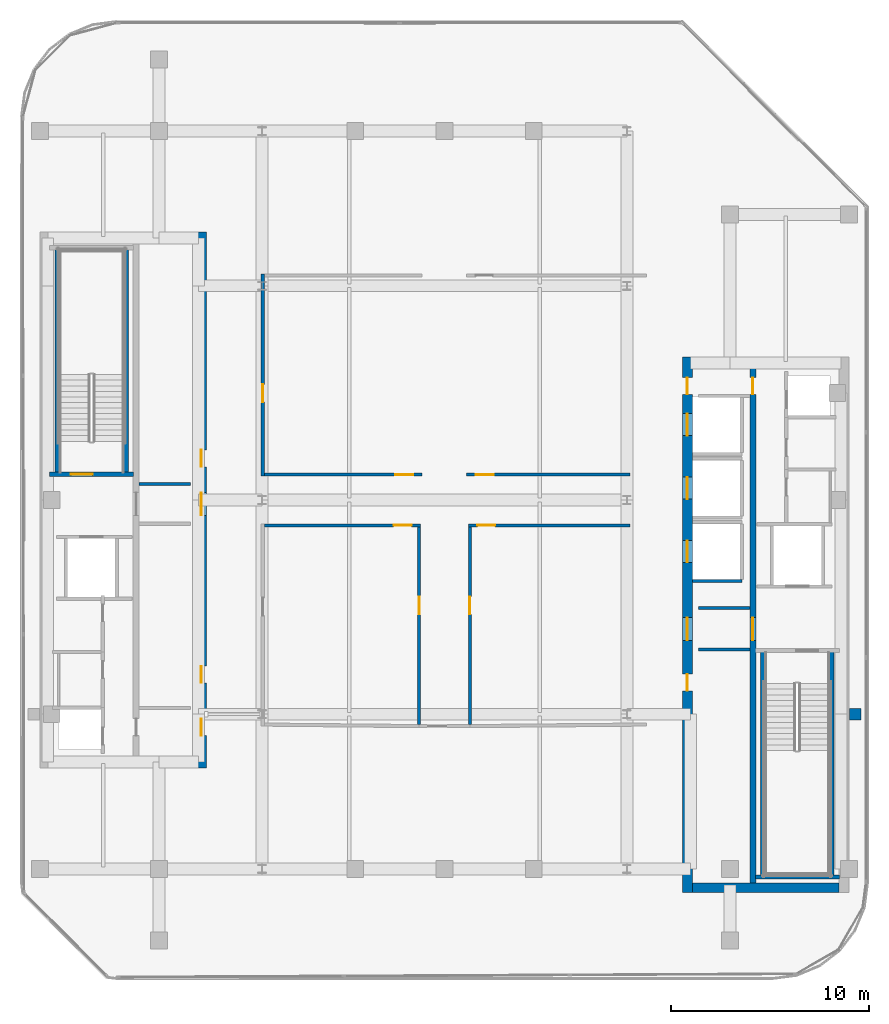
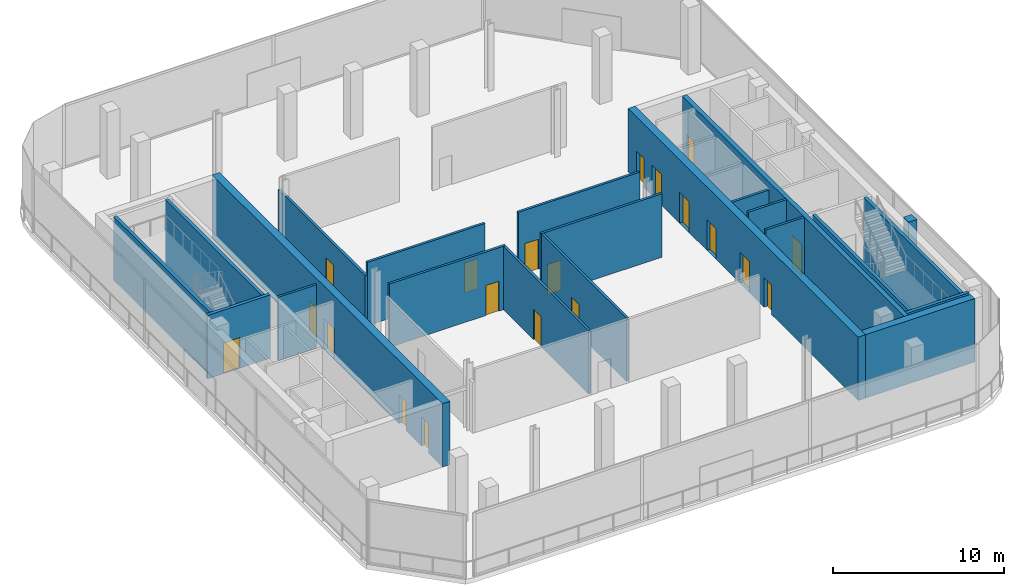
# One storey, part 3 of 13: 22 walls, 20 doors, 20 openings.
"""IFC4 building model written with IfcOpenShell, lengths in metres."""

from ifc_helpers import new_model, si_unit, direction, frame, frame_2d, origin, place, context, subcontext, project, spatial, rectangle, extrude, material, layer, layer_set, type_object, element, fill, save


model = new_model("IFC4")

# Units and contexts
model_context = context("Model", 3, precision=1e-05, world=origin(), true_north=direction((0.0, 1.0)))
body_context = subcontext(model_context, "Body", "Model", "MODEL_VIEW")
ifc_project = project(units=[si_unit("LENGTHUNIT", "METRE"), si_unit("AREAUNIT", "SQUARE_METRE"), si_unit("VOLUMEUNIT", "CUBIC_METRE"), si_unit("PLANEANGLEUNIT", "RADIAN"), si_unit("MASSUNIT", "GRAM", prefix="KILO")], contexts=[model_context])

# Site, building, storey
site_placement = place(None, origin())
site = spatial("IfcSite", under=ifc_project, at=site_placement, CompositionType="ELEMENT")
building_placement = place(site_placement, origin())
building = spatial("IfcBuilding", under=site, at=building_placement, Name="Khairoan Windgate Tower", CompositionType="ELEMENT")
storey_placement = place(building_placement, frame((0.0, 0.0, 272.800048828125)))
storey = spatial("IfcBuildingStorey", under=building, at=storey_placement, Name="L65", CompositionType="ELEMENT", Elevation=272.800048828125)

# Walls
ifc_material_1 = material(Name="Concrete C40/50", Category="concrete")
ifc_layer_1 = layer(ifc_material_1, 0.159912109375, Name="Concrete C40/50")
ifc_layer_set_1 = layer_set([ifc_layer_1], Name="Concrete C40/50")
wall_type_1 = type_object("IfcWallType", Name="Core and Hoistway Enclosure Wall", PredefinedType="STANDARD", material=ifc_layer_set_1)
wall_1_placement = place(storey_placement, frame((12.5, -4.090087890625, 0.0), z_axis=(0.0, 0.0, 1.0), x_axis=(1.0, 0.0, 0.0)))
element("IfcWall", 1, at=wall_1_placement, inside=storey, type_object=wall_type_1, Name="L65 Lift PL9 Hoistway Divider S", PredefinedType="STANDARD", context=body_context, shape_type="SweptSolid", body=[
    extrude(rectangle(XDim=2.489990234375, YDim=0.159912109375, at=frame_2d((1.2451171875, 0.0))), origin(), (0.0, 0.0, 1.0), 4.5400390625),
])
for number, where, z_axis, x_axis, name in (
    (2, (-15.39990234375, 0.800048828125, 0.0), (0.0, 0.0, 1.0), (1.0, 0.0, 0.0), "L65 Core Shaft Wall SW-WV1-L65"),
    (3, (12.800048828125, -5.449951171875, 0.0), (0.0, 0.0, 1.0), (1.0, 0.0, 0.0), "L65 Core Shaft Wall SW-EV1-L65"),
    (4, (12.800048828125, -7.5400390625, 0.0), (0.0, 0.0, 1.0), (1.0, 0.0, 0.0), "L65 Core Shaft Wall SW-EV2-L65"),
):
    element("IfcWall", number, at=place(storey_placement, frame(where, z_axis=z_axis, x_axis=x_axis)), inside=storey, type_object=wall_type_1, Name=name, PredefinedType="STANDARD", context=body_context, shape_type="SweptSolid", body=[
        extrude(rectangle(XDim=2.599853515625, YDim=0.159912109375, at=frame_2d((1.2998046875, 0.0))), origin(), (0.0, 0.0, 1.0), 4.5400390625),
    ])

# Wall, opening, door
ifc_material_2 = material(Name="Concrete C40/50", Category="concrete")
ifc_layer_2 = layer(ifc_material_2, 0.159912109375, Name="Concrete C40/50")
ifc_layer_set_2 = layer_set([ifc_layer_2], Name="Concrete C40/50")
wall_type_2 = type_object("IfcWallType", Name="Plant and Refuge Compartment Wall", PredefinedType="PARTITIONING", material=ifc_layer_set_2)
wall_2_placement = place(storey_placement, frame((-9.159912109375, 1.199951171875, 0.0), z_axis=(0.0, 0.0, 1.0), x_axis=(0.0, 1.0, 0.0)))
wall_2 = element("IfcWall", 5, at=wall_2_placement, inside=storey, type_object=wall_type_2, Name="L65 Interior Partition 011", PredefinedType="PARTITIONING", context=body_context, shape_type="SweptSolid", body=[
    extrude(rectangle(XDim=10.199951171875, YDim=0.159912109375, at=frame_2d((5.10009765625, 0.0))), origin(), (0.0, 0.0, 1.0), 3.639892578125),
])
opening_1_placement = place(wall_2_placement, frame((3.730224609375, 0.0, 0.0)))
opening_1 = element("IfcOpeningElement", 6, at=opening_1_placement, cuts=wall_2, Name="Opening FD-ENT", PredefinedType="OPENING", context=body_context, shape_type="SweptSolid", body=[
    extrude(rectangle(XDim=0.89990234375, YDim=2.14990234375, at=frame_2d((0.449951171875, 1.074951171875))), frame((0.0, 0.08984375, 0.0), z_axis=(0.0, -1.0, 0.0), x_axis=(1.0, 0.0, 0.0)), (0.0, 0.0, 1.0), 0.179931640625),
])
ifc_material_3 = material(Name="Timber Fire-Rated Core", Category="wood")
door_type_1 = type_object("IfcDoorType", Name="Unit and Office Fire Entrance Door FD-ENT 900x2150", OperationType="NOTDEFINED", PredefinedType="DOOR", material=ifc_material_3)
door_1_placement = place(opening_1_placement, origin())
door_1 = element("IfcDoor", 7, at=door_1_placement, inside=storey, type_object=door_type_1, Name="L65 L65-25-L65-31 Door", OperationType="SINGLE_SWING_LEFT", OverallHeight=2.14990234375, OverallWidth=0.89990234375, PredefinedType="DOOR", context=body_context, shape_type="SweptSolid", body=[
    extrude(rectangle(XDim=0.89990234375, YDim=2.14990234375, at=frame_2d((0.449951171875, 1.074951171875))), frame((0.0, 0.02490234375, 0.0), z_axis=(0.0, -1.0, 0.0), x_axis=(1.0, 0.0, 0.0)), (0.0, 0.0, 1.0), 0.050048828125),
])
fill(opening_1, door_1)

wall_3_placement = place(storey_placement, frame((-9.080078125, 1.280029296875, 0.0), z_axis=(0.0, 0.0, 1.0), x_axis=(1.0, 0.0, 0.0)))
wall_3 = element("IfcWall", 8, at=wall_3_placement, inside=storey, type_object=wall_type_2, Name="L65 Interior Partition 013", PredefinedType="PARTITIONING", context=body_context, shape_type="SweptSolid", body=[
    extrude(rectangle(XDim=7.9599609375, YDim=0.159912109375, at=frame_2d((3.97998046875, 0.0))), origin(), (0.0, 0.0, 1.0), 4.5400390625),
])
opening_2_placement = place(wall_3_placement, frame((6.60009765625, 0.0, 0.0)))
opening_2 = element("IfcOpeningElement", 9, at=opening_2_placement, cuts=wall_3, Name="Opening FD-ENT", PredefinedType="OPENING", context=body_context, shape_type="SweptSolid", body=[
    extrude(rectangle(XDim=0.89990234375, YDim=2.14990234375, at=frame_2d((0.449951171875, 1.074951171875))), frame((0.0, 0.08984375, 0.0), z_axis=(0.0, -1.0, 0.0), x_axis=(1.0, 0.0, 0.0)), (0.0, 0.0, 1.0), 0.179931640625),
])
door_2_placement = place(opening_2_placement, origin())
door_2 = element("IfcDoor", 10, at=door_2_placement, inside=storey, type_object=door_type_1, Name="L65 L65-27-L65-31 Door", OperationType="SINGLE_SWING_LEFT", OverallHeight=2.14990234375, OverallWidth=0.89990234375, PredefinedType="DOOR", context=body_context, shape_type="SweptSolid", body=[
    extrude(rectangle(XDim=0.89990234375, YDim=2.14990234375, at=frame_2d((0.449951171875, 1.074951171875))), frame((0.0, 0.02490234375, 0.0), z_axis=(0.0, -1.0, 0.0), x_axis=(1.0, 0.0, 0.0)), (0.0, 0.0, 1.0), 0.050048828125),
])
fill(opening_2, door_2)

wall_4_placement = place(storey_placement, frame((1.1201171875, 1.280029296875, 0.0), z_axis=(0.0, 0.0, 1.0), x_axis=(1.0, 0.0, 0.0)))
wall_4 = element("IfcWall", 11, at=wall_4_placement, inside=storey, type_object=wall_type_2, Name="L65 Interior Partition 014", PredefinedType="PARTITIONING", context=body_context, shape_type="SweptSolid", body=[
    extrude(rectangle(XDim=8.239990234375, YDim=0.159912109375, at=frame_2d((4.1201171875, 0.0))), origin(), (0.0, 0.0, 1.0), 4.5400390625),
])
opening_3_placement = place(wall_4_placement, frame((0.4599609375, 0.0, 0.0)))
opening_3 = element("IfcOpeningElement", 12, at=opening_3_placement, cuts=wall_4, Name="Opening FD-ENT", PredefinedType="OPENING", context=body_context, shape_type="SweptSolid", body=[
    extrude(rectangle(XDim=0.89990234375, YDim=2.14990234375, at=frame_2d((0.449951171875, 1.074951171875))), frame((0.0, 0.08984375, 0.0), z_axis=(0.0, -1.0, 0.0), x_axis=(1.0, 0.0, 0.0)), (0.0, 0.0, 1.0), 0.179931640625),
])
door_3_placement = place(opening_3_placement, origin())
door_3 = element("IfcDoor", 13, at=door_3_placement, inside=storey, type_object=door_type_1, Name="L65 L65-27-L65-32 Door", OperationType="SINGLE_SWING_RIGHT", OverallHeight=2.14990234375, OverallWidth=0.89990234375, PredefinedType="DOOR", context=body_context, shape_type="SweptSolid", body=[
    extrude(rectangle(XDim=0.89990234375, YDim=2.14990234375, at=frame_2d((0.449951171875, 1.074951171875))), frame((0.0, 0.02490234375, 0.0), z_axis=(0.0, -1.0, 0.0), x_axis=(1.0, 0.0, 0.0)), (0.0, 0.0, 1.0), 0.050048828125),
])
fill(opening_3, door_3)

wall_5_placement = place(storey_placement, frame((-9.080078125, -1.280029296875, 0.0), z_axis=(0.0, 0.0, 1.0), x_axis=(1.0, 0.0, 0.0)))
wall_5 = element("IfcWall", 14, at=wall_5_placement, inside=storey, type_object=wall_type_2, Name="L65 Interior Partition 015", PredefinedType="PARTITIONING", context=body_context, shape_type="SweptSolid", body=[
    extrude(rectangle(XDim=7.880126953125, YDim=0.159912109375, at=frame_2d((3.93994140625, 0.0))), origin(), (0.0, 0.0, 1.0), 4.5400390625),
])
opening_4_placement = place(wall_5_placement, frame((6.52001953125, 0.0, 0.0)))
opening_4 = element("IfcOpeningElement", 15, at=opening_4_placement, cuts=wall_5, Name="Opening FD-ENT", PredefinedType="OPENING", context=body_context, shape_type="SweptSolid", body=[
    extrude(rectangle(XDim=0.89990234375, YDim=2.14990234375, at=frame_2d((0.449951171875, 1.074951171875))), frame((0.0, 0.08984375, 0.0), z_axis=(0.0, -1.0, 0.0), x_axis=(1.0, 0.0, 0.0)), (0.0, 0.0, 1.0), 0.179931640625),
])
door_4_placement = place(opening_4_placement, origin())
door_4 = element("IfcDoor", 16, at=door_4_placement, inside=storey, type_object=door_type_1, Name="L65 L65-27-L65-33 Door", OperationType="SINGLE_SWING_LEFT", OverallHeight=2.14990234375, OverallWidth=0.89990234375, PredefinedType="DOOR", context=body_context, shape_type="SweptSolid", body=[
    extrude(rectangle(XDim=0.89990234375, YDim=2.14990234375, at=frame_2d((0.449951171875, 1.074951171875))), frame((0.0, 0.02490234375, 0.0), z_axis=(0.0, -1.0, 0.0), x_axis=(1.0, 0.0, 0.0)), (0.0, 0.0, 1.0), 0.050048828125),
])
fill(opening_4, door_4)

wall_6_placement = place(storey_placement, frame((1.199951171875, -1.280029296875, 0.0), z_axis=(0.0, 0.0, 1.0), x_axis=(1.0, 0.0, 0.0)))
wall_6 = element("IfcWall", 17, at=wall_6_placement, inside=storey, type_object=wall_type_2, Name="L65 Interior Partition 016", PredefinedType="PARTITIONING", context=body_context, shape_type="SweptSolid", body=[
    extrude(rectangle(XDim=8.16015625, YDim=0.159912109375, at=frame_2d((4.080078125, 0.0))), origin(), (0.0, 0.0, 1.0), 4.5400390625),
])
opening_5_placement = place(wall_6_placement, frame((0.4599609375, 0.0, 0.0)))
opening_5 = element("IfcOpeningElement", 18, at=opening_5_placement, cuts=wall_6, Name="Opening FD-ENT", PredefinedType="OPENING", context=body_context, shape_type="SweptSolid", body=[
    extrude(rectangle(XDim=0.89990234375, YDim=2.14990234375, at=frame_2d((0.449951171875, 1.074951171875))), frame((0.0, 0.08984375, 0.0), z_axis=(0.0, -1.0, 0.0), x_axis=(1.0, 0.0, 0.0)), (0.0, 0.0, 1.0), 0.179931640625),
])
door_5_placement = place(opening_5_placement, origin())
door_5 = element("IfcDoor", 19, at=door_5_placement, inside=storey, type_object=door_type_1, Name="L65 L65-27-L65-34 Door", OperationType="SINGLE_SWING_RIGHT", OverallHeight=2.14990234375, OverallWidth=0.89990234375, PredefinedType="DOOR", context=body_context, shape_type="SweptSolid", body=[
    extrude(rectangle(XDim=0.89990234375, YDim=2.14990234375, at=frame_2d((0.449951171875, 1.074951171875))), frame((0.0, 0.02490234375, 0.0), z_axis=(0.0, -1.0, 0.0), x_axis=(1.0, 0.0, 0.0)), (0.0, 0.0, 1.0), 0.050048828125),
])
fill(opening_5, door_5)

wall_7_placement = place(storey_placement, frame((-1.280029296875, -11.320068359375, 0.0), z_axis=(0.0, 0.0, 1.0), x_axis=(0.0, 1.0, 0.0)))
wall_7 = element("IfcWall", 20, at=wall_7_placement, inside=storey, type_object=wall_type_2, Name="L65 Interior Partition 018", PredefinedType="PARTITIONING", context=body_context, shape_type="SweptSolid", body=[
    extrude(rectangle(XDim=9.9599609375, YDim=0.159912109375, at=frame_2d((4.97998046875, 0.0))), origin(), (0.0, 0.0, 1.0), 4.5400390625),
])
opening_6_placement = place(wall_7_placement, frame((5.547607421875, 0.0, 0.0)))
opening_6 = element("IfcOpeningElement", 21, at=opening_6_placement, cuts=wall_7, Name="Opening FD-ENT", PredefinedType="OPENING", context=body_context, shape_type="SweptSolid", body=[
    extrude(rectangle(XDim=0.89990234375, YDim=2.14990234375, at=frame_2d((0.449951171875, 1.074951171875))), frame((0.0, 0.08984375, 0.0), z_axis=(0.0, -1.0, 0.0), x_axis=(1.0, 0.0, 0.0)), (0.0, 0.0, 1.0), 0.179931640625),
])
door_6_placement = place(opening_6_placement, origin())
door_6 = element("IfcDoor", 22, at=door_6_placement, inside=storey, type_object=door_type_1, Name="L65 L65-28-L65-33 Door", OperationType="SINGLE_SWING_RIGHT", OverallHeight=2.14990234375, OverallWidth=0.89990234375, PredefinedType="DOOR", context=body_context, shape_type="SweptSolid", body=[
    extrude(rectangle(XDim=0.89990234375, YDim=2.14990234375, at=frame_2d((0.449951171875, 1.074951171875))), frame((0.0, 0.02490234375, 0.0), z_axis=(0.0, -1.0, 0.0), x_axis=(1.0, 0.0, 0.0)), (0.0, 0.0, 1.0), 0.050048828125),
])
fill(opening_6, door_6)

wall_8_placement = place(storey_placement, frame((1.280029296875, -11.320068359375, 0.0), z_axis=(0.0, 0.0, 1.0), x_axis=(0.0, 1.0, 0.0)))
wall_8 = element("IfcWall", 23, at=wall_8_placement, inside=storey, type_object=wall_type_2, Name="L65 Interior Partition 019", PredefinedType="PARTITIONING", context=body_context, shape_type="SweptSolid", body=[
    extrude(rectangle(XDim=9.9599609375, YDim=0.159912109375, at=frame_2d((4.97998046875, 0.0))), origin(), (0.0, 0.0, 1.0), 4.5400390625),
])
opening_7_placement = place(wall_8_placement, frame((5.547607421875, 0.0, 0.0)))
opening_7 = element("IfcOpeningElement", 24, at=opening_7_placement, cuts=wall_8, Name="Opening FD-ENT", PredefinedType="OPENING", context=body_context, shape_type="SweptSolid", body=[
    extrude(rectangle(XDim=0.89990234375, YDim=2.14990234375, at=frame_2d((0.449951171875, 1.074951171875))), frame((0.0, 0.08984375, 0.0), z_axis=(0.0, -1.0, 0.0), x_axis=(1.0, 0.0, 0.0)), (0.0, 0.0, 1.0), 0.179931640625),
])
door_7_placement = place(opening_7_placement, origin())
door_7 = element("IfcDoor", 25, at=door_7_placement, inside=storey, type_object=door_type_1, Name="L65 L65-28-L65-34 Door", OperationType="SINGLE_SWING_LEFT", OverallHeight=2.14990234375, OverallWidth=0.89990234375, PredefinedType="DOOR", context=body_context, shape_type="SweptSolid", body=[
    extrude(rectangle(XDim=0.89990234375, YDim=2.14990234375, at=frame_2d((0.449951171875, 1.074951171875))), frame((0.0, 0.02490234375, 0.0), z_axis=(0.0, -1.0, 0.0), x_axis=(1.0, 0.0, 0.0)), (0.0, 0.0, 1.0), 0.050048828125),
])
fill(opening_7, door_7)

# Wall, openings, doors
ifc_material_4 = material(Name="Concrete C50/60", Category="concrete")
ifc_layer_3 = layer(ifc_material_4, 0.5, Name="Concrete C50/60")
ifc_layer_set_3 = layer_set([ifc_layer_3], Name="Concrete C50/60")
wall_type_3 = type_object("IfcWallType", Name="Shear Wall CW-E3 500mm", PredefinedType="SHEAR", material=ifc_layer_set_3)
wall_9_placement = place(storey_placement, frame((12.25, -19.800048828125, 0.0), z_axis=(0.0, 0.0, 1.0), x_axis=(0.0, 1.0, 0.0)))
wall_9 = element("IfcWall", 26, at=wall_9_placement, inside=storey, type_object=wall_type_3, Name="E Core West Shear Wall L65", PredefinedType="SHEAR", context=body_context, shape_type="SweptSolid", body=[
    extrude(rectangle(XDim=27.0, YDim=0.5, at=frame_2d((13.5, 0.0))), origin(), (0.0, 0.0, 1.0), 4.5400390625),
])
opening_8_placement = place(wall_9_placement, frame((23.050048828125, 0.0, 0.0)))
opening_8 = element("IfcOpeningElement", 27, at=opening_8_placement, cuts=wall_9, Name="Opening LD-PL", PredefinedType="OPENING", context=body_context, shape_type="SweptSolid", body=[
    extrude(rectangle(XDim=1.10009765625, YDim=2.199951171875, at=frame_2d((0.550048828125, 1.10009765625))), frame((0.0, 0.260009765625, 0.0), z_axis=(0.0, -1.0, 0.0), x_axis=(1.0, 0.0, 0.0)), (0.0, 0.0, 1.0), 0.52001953125),
])
opening_9_placement = place(wall_9_placement, frame((19.85009765625, 0.0, 0.0)))
opening_9 = element("IfcOpeningElement", 28, at=opening_9_placement, cuts=wall_9, Name="Opening LD-PL", PredefinedType="OPENING", context=body_context, shape_type="SweptSolid", body=[
    extrude(rectangle(XDim=1.10009765625, YDim=2.199951171875, at=frame_2d((0.550048828125, 1.10009765625))), frame((0.0, 0.260009765625, 0.0), z_axis=(0.0, -1.0, 0.0), x_axis=(1.0, 0.0, 0.0)), (0.0, 0.0, 1.0), 0.52001953125),
])
opening_10_placement = place(wall_9_placement, frame((16.64990234375, 0.0, 0.0)))
opening_10 = element("IfcOpeningElement", 29, at=opening_10_placement, cuts=wall_9, Name="Opening LD-PL", PredefinedType="OPENING", context=body_context, shape_type="SweptSolid", body=[
    extrude(rectangle(XDim=1.10009765625, YDim=2.199951171875, at=frame_2d((0.550048828125, 1.10009765625))), frame((0.0, 0.260009765625, 0.0), z_axis=(0.0, -1.0, 0.0), x_axis=(1.0, 0.0, 0.0)), (0.0, 0.0, 1.0), 0.52001953125),
])
opening_11_placement = place(wall_9_placement, frame((10.175048828125, 0.0, 0.0)))
opening_11 = element("IfcOpeningElement", 30, at=opening_11_placement, cuts=wall_9, Name="Opening FD-SRV", PredefinedType="OPENING", context=body_context, shape_type="SweptSolid", body=[
    extrude(rectangle(XDim=0.85009765625, YDim=2.10009765625, at=frame_2d((0.425048828125, 1.050048828125))), frame((0.0, 0.260009765625, 0.0), z_axis=(0.0, -1.0, 0.0), x_axis=(1.0, 0.0, 0.0)), (0.0, 0.0, 1.0), 0.52001953125),
])
opening_12_placement = place(wall_9_placement, frame((12.72509765625, 0.0, 0.0)))
opening_12 = element("IfcOpeningElement", 31, at=opening_12_placement, cuts=wall_9, Name="Opening FD-FFL", PredefinedType="OPENING", context=body_context, shape_type="SweptSolid", body=[
    extrude(rectangle(XDim=1.14990234375, YDim=2.199951171875, at=frame_2d((0.574951171875, 1.10009765625))), frame((0.0, 0.260009765625, 0.0), z_axis=(0.0, -1.0, 0.0), x_axis=(1.0, 0.0, 0.0)), (0.0, 0.0, 1.0), 0.52001953125),
])
opening_13_placement = place(wall_9_placement, frame((25.125, 0.0, 0.0)))
opening_13 = element("IfcOpeningElement", 32, at=opening_13_placement, cuts=wall_9, Name="Opening FD-SRV", PredefinedType="OPENING", context=body_context, shape_type="SweptSolid", body=[
    extrude(rectangle(XDim=0.85009765625, YDim=2.10009765625, at=frame_2d((0.425048828125, 1.050048828125))), frame((0.0, 0.260009765625, 0.0), z_axis=(0.0, -1.0, 0.0), x_axis=(1.0, 0.0, 0.0)), (0.0, 0.0, 1.0), 0.52001953125),
])
ifc_material_5 = material(Name="Steel S355", Category="steel")
door_type_2 = type_object("IfcDoorType", Name="Core Service and Riser Fire Door FD-SRV 850x2100", OperationType="NOTDEFINED", PredefinedType="DOOR", material=ifc_material_5)
door_8_placement = place(opening_11_placement, origin())
door_8 = element("IfcDoor", 33, at=door_8_placement, inside=storey, type_object=door_type_2, Name="L65 East Core Service Room Door 1", OperationType="SINGLE_SWING_RIGHT", OverallHeight=2.10009765625, OverallWidth=0.85009765625, PredefinedType="DOOR", context=body_context, shape_type="SweptSolid", body=[
    extrude(rectangle(XDim=0.85009765625, YDim=2.10009765625, at=frame_2d((0.425048828125, 1.050048828125))), frame((0.0, 0.02490234375, 0.0), z_axis=(0.0, -1.0, 0.0), x_axis=(1.0, 0.0, 0.0)), (0.0, 0.0, 1.0), 0.050048828125),
])
fill(opening_11, door_8)
door_9_placement = place(opening_13_placement, origin())
door_9 = element("IfcDoor", 34, at=door_9_placement, inside=storey, type_object=door_type_2, Name="L65 East Core Service Vestibule Outer Door", OperationType="SINGLE_SWING_LEFT", OverallHeight=2.10009765625, OverallWidth=0.85009765625, PredefinedType="DOOR", context=body_context, shape_type="SweptSolid", body=[
    extrude(rectangle(XDim=0.85009765625, YDim=2.10009765625, at=frame_2d((0.425048828125, 1.050048828125))), frame((0.0, 0.02490234375, 0.0), z_axis=(0.0, -1.0, 0.0), x_axis=(1.0, 0.0, 0.0)), (0.0, 0.0, 1.0), 0.050048828125),
])
fill(opening_13, door_9)
ifc_material_6 = material(Name="Steel S355", Category="steel")
door_type_3 = type_object("IfcDoorType", Name="Firefighting Lobby Fire Door FD-FFL 1150x2200", OperationType="NOTDEFINED", PredefinedType="DOOR", material=ifc_material_6)
door_10_placement = place(opening_12_placement, origin())
door_10 = element("IfcDoor", 35, at=door_10_placement, inside=storey, type_object=door_type_3, Name="L65 East Core Vestibule Entry Door", OperationType="SINGLE_SWING_LEFT", OverallHeight=2.199951171875, OverallWidth=1.14990234375, PredefinedType="DOOR", context=body_context, shape_type="SweptSolid", body=[
    extrude(rectangle(XDim=1.14990234375, YDim=2.199951171875, at=frame_2d((0.574951171875, 1.10009765625))), frame((0.0, 0.02490234375, 0.0), z_axis=(0.0, -1.0, 0.0), x_axis=(1.0, 0.0, 0.0)), (0.0, 0.0, 1.0), 0.050048828125),
])
fill(opening_12, door_10)
ifc_material_7 = material(Name="Anodised Bronze Aluminium 6063-T6", Category="aluminium")
door_type_4 = type_object("IfcDoorType", Name="Passenger Lift Sliding Landing Door LD-PL 1100x2200", OperationType="DOUBLE_DOOR_SLIDING", PredefinedType="DOOR", material=ifc_material_7)
door_11_placement = place(opening_8_placement, origin())
door_11 = element("IfcDoor", 36, at=door_11_placement, inside=storey, type_object=door_type_4, Name="L65 Lift PL7 Sliding Landing Door", OperationType="DOUBLE_DOOR_SLIDING", OverallHeight=2.199951171875, OverallWidth=1.10009765625, PredefinedType="DOOR", context=body_context, shape_type="SweptSolid", body=[
    extrude(rectangle(XDim=1.10009765625, YDim=2.199951171875, at=frame_2d((0.550048828125, 1.10009765625))), frame((0.0, 0.02490234375, 0.0), z_axis=(0.0, -1.0, 0.0), x_axis=(1.0, 0.0, 0.0)), (0.0, 0.0, 1.0), 0.050048828125),
])
fill(opening_8, door_11)
door_12_placement = place(opening_9_placement, origin())
door_12 = element("IfcDoor", 37, at=door_12_placement, inside=storey, type_object=door_type_4, Name="L65 Lift PL8 Sliding Landing Door", OperationType="DOUBLE_DOOR_SLIDING", OverallHeight=2.199951171875, OverallWidth=1.10009765625, PredefinedType="DOOR", context=body_context, shape_type="SweptSolid", body=[
    extrude(rectangle(XDim=1.10009765625, YDim=2.199951171875, at=frame_2d((0.550048828125, 1.10009765625))), frame((0.0, 0.02490234375, 0.0), z_axis=(0.0, -1.0, 0.0), x_axis=(1.0, 0.0, 0.0)), (0.0, 0.0, 1.0), 0.050048828125),
])
fill(opening_9, door_12)
door_13_placement = place(opening_10_placement, origin())
door_13 = element("IfcDoor", 38, at=door_13_placement, inside=storey, type_object=door_type_4, Name="L65 Lift PL9 Sliding Landing Door", OperationType="DOUBLE_DOOR_SLIDING", OverallHeight=2.199951171875, OverallWidth=1.10009765625, PredefinedType="DOOR", context=body_context, shape_type="SweptSolid", body=[
    extrude(rectangle(XDim=1.10009765625, YDim=2.199951171875, at=frame_2d((0.550048828125, 1.10009765625))), frame((0.0, 0.02490234375, 0.0), z_axis=(0.0, -1.0, 0.0), x_axis=(1.0, 0.0, 0.0)), (0.0, 0.0, 1.0), 0.050048828125),
])
fill(opening_10, door_13)

# Wall
wall_10_placement = place(storey_placement, frame((12.5, -19.550048828125, 0.0), z_axis=(0.0, 0.0, 1.0), x_axis=(1.0, 0.0, 0.0)))
element("IfcWall", 39, at=wall_10_placement, inside=storey, type_object=wall_type_3, Name="E Core South Shear Wall L65", PredefinedType="SHEAR", context=body_context, shape_type="SweptSolid", body=[
    extrude(rectangle(XDim=7.39990234375, YDim=0.5, at=frame_2d((3.699951171875, 0.0))), origin(), (0.0, 0.0, 1.0), 4.5400390625),
])

# Wall, openings, doors
ifc_material_8 = material(Name="Concrete C50/60", Category="concrete")
ifc_layer_4 = layer(ifc_material_8, 0.5, Name="Concrete C50/60")
ifc_layer_set_4 = layer_set([ifc_layer_4], Name="Concrete C50/60")
wall_type_4 = type_object("IfcWallType", Name="Shear Wall CW-W3 500mm", PredefinedType="SHEAR", material=ifc_layer_set_4)
wall_11_placement = place(storey_placement, frame((-12.25, -13.5, 0.0), z_axis=(0.0, 0.0, 1.0), x_axis=(0.0, 1.0, 0.0)))
wall_11 = element("IfcWall", 40, at=wall_11_placement, inside=storey, type_object=wall_type_4, Name="W Core East Shear Wall L65", PredefinedType="SHEAR", context=body_context, shape_type="SweptSolid", body=[
    extrude(rectangle(XDim=27.0, YDim=0.5, at=frame_2d((13.5, 0.0))), origin(), (0.0, 0.0, 1.0), 4.5400390625),
])
opening_14_placement = place(wall_11_placement, frame((15.175048828125, 0.0, 0.0)))
opening_14 = element("IfcOpeningElement", 41, at=opening_14_placement, cuts=wall_11, Name="Opening FD-SRV", PredefinedType="OPENING", context=body_context, shape_type="SweptSolid", body=[
    extrude(rectangle(XDim=0.85009765625, YDim=2.10009765625, at=frame_2d((0.425048828125, 1.050048828125))), frame((0.0, 0.260009765625, 0.0), z_axis=(0.0, -1.0, 0.0), x_axis=(1.0, 0.0, 0.0)), (0.0, 0.0, 1.0), 0.52001953125),
])
opening_15_placement = place(wall_11_placement, frame((4.27490234375, 0.0, 0.0)))
opening_15 = element("IfcOpeningElement", 42, at=opening_15_placement, cuts=wall_11, Name="Opening FD-SRV", PredefinedType="OPENING", context=body_context, shape_type="SweptSolid", body=[
    extrude(rectangle(XDim=0.85009765625, YDim=2.10009765625, at=frame_2d((0.425048828125, 1.050048828125))), frame((0.0, 0.260009765625, 0.0), z_axis=(0.0, -1.0, 0.0), x_axis=(1.0, 0.0, 0.0)), (0.0, 0.0, 1.0), 0.52001953125),
])
opening_16_placement = place(wall_11_placement, frame((12.72509765625, 0.0, 0.0)))
opening_16 = element("IfcOpeningElement", 43, at=opening_16_placement, cuts=wall_11, Name="Opening FD-FFL", PredefinedType="OPENING", context=body_context, shape_type="SweptSolid", body=[
    extrude(rectangle(XDim=1.14990234375, YDim=2.199951171875, at=frame_2d((0.574951171875, 1.10009765625))), frame((0.0, 0.260009765625, 0.0), z_axis=(0.0, -1.0, 0.0), x_axis=(1.0, 0.0, 0.0)), (0.0, 0.0, 1.0), 0.52001953125),
])
opening_17_placement = place(wall_11_placement, frame((1.625, 0.0, 0.0)))
opening_17 = element("IfcOpeningElement", 44, at=opening_17_placement, cuts=wall_11, Name="Opening FD-SRV", PredefinedType="OPENING", context=body_context, shape_type="SweptSolid", body=[
    extrude(rectangle(XDim=0.85009765625, YDim=2.10009765625, at=frame_2d((0.425048828125, 1.050048828125))), frame((0.0, 0.260009765625, 0.0), z_axis=(0.0, -1.0, 0.0), x_axis=(1.0, 0.0, 0.0)), (0.0, 0.0, 1.0), 0.52001953125),
])
door_14_placement = place(opening_14_placement, origin())
door_14 = element("IfcDoor", 45, at=door_14_placement, inside=storey, type_object=door_type_2, Name="L65 Upper Core Room Door B1-1", OperationType="SINGLE_SWING_RIGHT", OverallHeight=2.10009765625, OverallWidth=0.85009765625, PredefinedType="DOOR", context=body_context, shape_type="SweptSolid", body=[
    extrude(rectangle(XDim=0.85009765625, YDim=2.10009765625, at=frame_2d((0.425048828125, 1.050048828125))), frame((0.0, 0.02490234375, 0.0), z_axis=(0.0, -1.0, 0.0), x_axis=(1.0, 0.0, 0.0)), (0.0, 0.0, 1.0), 0.050048828125),
])
fill(opening_14, door_14)
door_15_placement = place(opening_15_placement, origin())
door_15 = element("IfcDoor", 46, at=door_15_placement, inside=storey, type_object=door_type_2, Name="L65 Upper Core Room Door B2-1", OperationType="SINGLE_SWING_LEFT", OverallHeight=2.10009765625, OverallWidth=0.85009765625, PredefinedType="DOOR", context=body_context, shape_type="SweptSolid", body=[
    extrude(rectangle(XDim=0.85009765625, YDim=2.10009765625, at=frame_2d((0.425048828125, 1.050048828125))), frame((0.0, 0.02490234375, 0.0), z_axis=(0.0, -1.0, 0.0), x_axis=(1.0, 0.0, 0.0)), (0.0, 0.0, 1.0), 0.050048828125),
])
fill(opening_15, door_15)
door_16_placement = place(opening_17_placement, origin())
door_16 = element("IfcDoor", 47, at=door_16_placement, inside=storey, type_object=door_type_2, Name="L65 West Core Service Vestibule Outer Door", OperationType="SINGLE_SWING_LEFT", OverallHeight=2.10009765625, OverallWidth=0.85009765625, PredefinedType="DOOR", context=body_context, shape_type="SweptSolid", body=[
    extrude(rectangle(XDim=0.85009765625, YDim=2.10009765625, at=frame_2d((0.425048828125, 1.050048828125))), frame((0.0, 0.02490234375, 0.0), z_axis=(0.0, -1.0, 0.0), x_axis=(1.0, 0.0, 0.0)), (0.0, 0.0, 1.0), 0.050048828125),
])
fill(opening_17, door_16)
door_17_placement = place(opening_16_placement, origin())
door_17 = element("IfcDoor", 48, at=door_17_placement, inside=storey, type_object=door_type_3, Name="L65 West Core Vestibule Entry Door", OperationType="SINGLE_SWING_LEFT", OverallHeight=2.199951171875, OverallWidth=1.14990234375, PredefinedType="DOOR", context=body_context, shape_type="SweptSolid", body=[
    extrude(rectangle(XDim=1.14990234375, YDim=2.199951171875, at=frame_2d((0.574951171875, 1.10009765625))), frame((0.0, 0.02490234375, 0.0), z_axis=(0.0, -1.0, 0.0), x_axis=(1.0, 0.0, 0.0)), (0.0, 0.0, 1.0), 0.050048828125),
])
fill(opening_16, door_17)

# Wall
ifc_material_9 = material(Name="Concrete C70/85", Category="concrete")
ifc_layer_5 = layer(ifc_material_9, 0.60009765625, Name="Concrete C70/85")
ifc_layer_set_5 = layer_set([ifc_layer_5], Name="Concrete C70/85")
wall_type_5 = type_object("IfcWallType", Name="Shear Wall OW-1 600mm", PredefinedType="SHEAR", material=ifc_layer_set_5)
wall_12_placement = place(storey_placement, frame((20.419921875, -10.800048828125, 0.0), z_axis=(0.0, 0.0, 1.0), x_axis=(1.0, 0.0, 0.0)))
element("IfcWall", 49, at=wall_12_placement, inside=storey, type_object=wall_type_5, Name="L65 Outrigger Shear Wall EW-S", PredefinedType="SHEAR", context=body_context, shape_type="SweptSolid", body=[
    extrude(rectangle(XDim=0.580078125, YDim=0.60009765625, at=frame_2d((0.2900390625, 0.0))), origin(), (0.0, 0.0, 1.0), 4.5400390625),
])

# Wall, openings, doors
ifc_material_10 = material(Name="Concrete C50/60", Category="concrete")
ifc_layer_6 = layer(ifc_material_10, 0.300048828125, Name="Concrete C50/60")
ifc_layer_set_6 = layer_set([ifc_layer_6], Name="Concrete C50/60")
wall_type_6 = type_object("IfcWallType", Name="Shear Wall SW-2 300mm", PredefinedType="SHEAR", material=ifc_layer_set_6)
wall_13_placement = place(storey_placement, frame((15.550048828125, -19.300048828125, 0.0), z_axis=(0.0, 0.0, 1.0), x_axis=(0.0, 1.0, 0.0)))
wall_13 = element("IfcWall", 50, at=wall_13_placement, inside=storey, type_object=wall_type_6, Name="E Core Spine Shear Wall L65", PredefinedType="SHEAR", context=body_context, shape_type="SweptSolid", body=[
    extrude(rectangle(XDim=26.0, YDim=0.300048828125, at=frame_2d((13.0, 0.0))), origin(), (0.0, 0.0, 1.0), 4.5400390625),
])
opening_18_placement = place(wall_13_placement, frame((12.22509765625, 0.0, 0.0)))
opening_18 = element("IfcOpeningElement", 51, at=opening_18_placement, cuts=wall_13, Name="Opening FD-FFL", PredefinedType="OPENING", context=body_context, shape_type="SweptSolid", body=[
    extrude(rectangle(XDim=1.14990234375, YDim=2.199951171875, at=frame_2d((0.574951171875, 1.10009765625))), frame((0.0, 0.159912109375, 0.0), z_axis=(0.0, -1.0, 0.0), x_axis=(1.0, 0.0, 0.0)), (0.0, 0.0, 1.0), 0.320068359375),
])
opening_19_placement = place(wall_13_placement, frame((24.625, 0.0, 0.0)))
opening_19 = element("IfcOpeningElement", 52, at=opening_19_placement, cuts=wall_13, Name="Opening FD-SRV", PredefinedType="OPENING", context=body_context, shape_type="SweptSolid", body=[
    extrude(rectangle(XDim=0.85009765625, YDim=2.10009765625, at=frame_2d((0.425048828125, 1.050048828125))), frame((0.0, 0.159912109375, 0.0), z_axis=(0.0, -1.0, 0.0), x_axis=(1.0, 0.0, 0.0)), (0.0, 0.0, 1.0), 0.320068359375),
])
door_18_placement = place(opening_19_placement, origin())
door_18 = element("IfcDoor", 53, at=door_18_placement, inside=storey, type_object=door_type_2, Name="L65 East Core Service Passage Inner Door", OperationType="SINGLE_SWING_RIGHT", OverallHeight=2.10009765625, OverallWidth=0.85009765625, PredefinedType="DOOR", context=body_context, shape_type="SweptSolid", body=[
    extrude(rectangle(XDim=0.85009765625, YDim=2.10009765625, at=frame_2d((0.425048828125, 1.050048828125))), frame((0.0, 0.02490234375, 0.0), z_axis=(0.0, -1.0, 0.0), x_axis=(1.0, 0.0, 0.0)), (0.0, 0.0, 1.0), 0.050048828125),
])
fill(opening_19, door_18)
door_19_placement = place(opening_18_placement, origin())
door_19 = element("IfcDoor", 54, at=door_19_placement, inside=storey, type_object=door_type_3, Name="L65 East Firefighting Lobby Fire Door", OperationType="SINGLE_SWING_RIGHT", OverallHeight=2.199951171875, OverallWidth=1.14990234375, PredefinedType="DOOR", context=body_context, shape_type="SweptSolid", body=[
    extrude(rectangle(XDim=1.14990234375, YDim=2.199951171875, at=frame_2d((0.574951171875, 1.10009765625))), frame((0.0, 0.02490234375, 0.0), z_axis=(0.0, -1.0, 0.0), x_axis=(1.0, 0.0, 0.0)), (0.0, 0.0, 1.0), 0.050048828125),
])
fill(opening_18, door_19)

# Walls
ifc_material_11 = material(Name="Concrete C50/60", Category="concrete")
ifc_layer_7 = layer(ifc_material_11, 0.219970703125, Name="Concrete C50/60")
ifc_layer_set_7 = layer_set([ifc_layer_7], Name="Concrete C50/60")
wall_type_7 = type_object("IfcWallType", Name="Shear Wall SW-ST 220mm", PredefinedType="SHEAR", material=ifc_layer_set_7)
for number, where, z_axis, x_axis, name in (
    (55, (16.0400390625, -19.010009765625, 0.0), (0.0, 0.0, 1.0), (0.0, 1.0, 0.0), "L65 Stair ST1 West Bearing Wall"),
    (56, (19.530029296875, -19.010009765625, 0.0), (0.0, 0.0, 1.0), (0.0, 1.0, 0.0), "L65 Stair ST1 East Bearing Wall"),
):
    element("IfcWall", number, at=place(storey_placement, frame(where, z_axis=z_axis, x_axis=x_axis)), inside=storey, type_object=wall_type_7, Name=name, PredefinedType="SHEAR", context=body_context, shape_type="SweptSolid", body=[
        extrude(rectangle(XDim=11.419921875, YDim=0.219970703125, at=frame_2d((5.7099609375, 0.0))), origin(), (0.0, 0.0, 1.0), 4.5400390625),
    ])
wall_14_placement = place(storey_placement, frame((15.679931640625, -19.010009765625, 0.0), z_axis=(0.0, 0.0, 1.0), x_axis=(1.0, 0.0, 0.0)))
element("IfcWall", 57, at=wall_14_placement, inside=storey, type_object=wall_type_7, Name="L65 Stair ST1 South Bearing Wall", PredefinedType="SHEAR", context=body_context, shape_type="SweptSolid", body=[
    extrude(rectangle(XDim=4.239990234375, YDim=0.219970703125, at=frame_2d((2.1201171875, 0.0))), origin(), (0.0, 0.0, 1.0), 4.5400390625),
])
for number, where, z_axis, x_axis, name in (
    (58, (-16.0400390625, 1.2900390625, 0.0), (0.0, 0.0, 1.0), (0.0, 1.0, 0.0), "L65 Stair ST2 East Bearing Wall"),
    (59, (-19.530029296875, 1.2900390625, 0.0), (0.0, 0.0, 1.0), (0.0, 1.0, 0.0), "L65 Stair ST2 West Bearing Wall"),
):
    element("IfcWall", number, at=place(storey_placement, frame(where, z_axis=z_axis, x_axis=x_axis)), inside=storey, type_object=wall_type_7, Name=name, PredefinedType="SHEAR", context=body_context, shape_type="SweptSolid", body=[
        extrude(rectangle(XDim=11.419921875, YDim=0.219970703125, at=frame_2d((5.7099609375, 0.0))), origin(), (0.0, 0.0, 1.0), 4.5400390625),
    ])

# Wall, opening, door
wall_15_placement = place(storey_placement, frame((-19.919921875, 1.2900390625, 0.0), z_axis=(0.0, 0.0, 1.0), x_axis=(1.0, 0.0, 0.0)))
wall_15 = element("IfcWall", 60, at=wall_15_placement, inside=storey, type_object=wall_type_7, Name="L65 Stair ST2 South Bearing Wall", PredefinedType="SHEAR", context=body_context, shape_type="SweptSolid", body=[
    extrude(rectangle(XDim=4.239990234375, YDim=0.219970703125, at=frame_2d((2.1201171875, 0.0))), origin(), (0.0, 0.0, 1.0), 4.5400390625),
])
opening_20_placement = place(wall_15_placement, frame((1.080078125, 0.0, 0.0)))
opening_20 = element("IfcOpeningElement", 61, at=opening_20_placement, cuts=wall_15, Name="Opening FD-ST", PredefinedType="OPENING", context=body_context, shape_type="SweptSolid", body=[
    extrude(rectangle(XDim=1.10009765625, YDim=2.199951171875, at=frame_2d((0.550048828125, 1.10009765625))), frame((0.0, 0.119873046875, 0.0), z_axis=(0.0, -1.0, 0.0), x_axis=(1.0, 0.0, 0.0)), (0.0, 0.0, 1.0), 0.239990234375),
])
ifc_material_12 = material(Name="Steel S355", Category="steel")
door_type_5 = type_object("IfcDoorType", Name="Smokeproof Stair Fire Door FD-ST 1100x2200", OperationType="NOTDEFINED", PredefinedType="DOOR", material=ifc_material_12)
door_20_placement = place(opening_20_placement, origin())
door_20 = element("IfcDoor", 62, at=door_20_placement, inside=storey, type_object=door_type_5, Name="L65 Stair ST2 Fire Door", OperationType="SINGLE_SWING_LEFT", OverallHeight=2.199951171875, OverallWidth=1.10009765625, PredefinedType="DOOR", context=body_context, shape_type="SweptSolid", body=[
    extrude(rectangle(XDim=1.10009765625, YDim=2.199951171875, at=frame_2d((0.550048828125, 1.10009765625))), frame((0.0, 0.02490234375, 0.0), z_axis=(0.0, -1.0, 0.0), x_axis=(1.0, 0.0, 0.0)), (0.0, 0.0, 1.0), 0.050048828125),
])
fill(opening_20, door_20)

save(model, "model.ifc")
